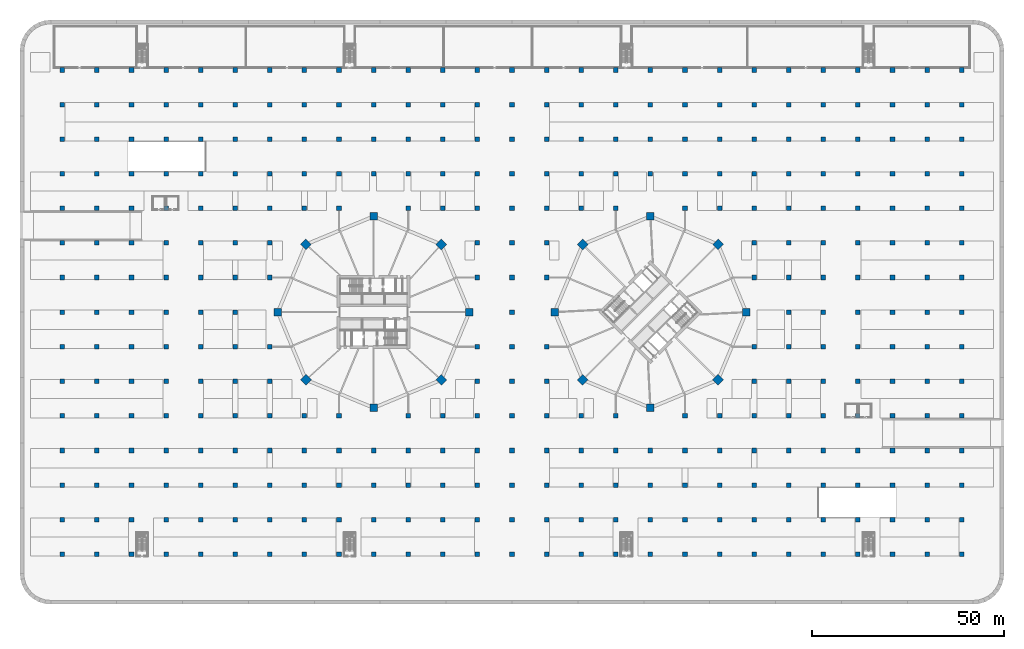
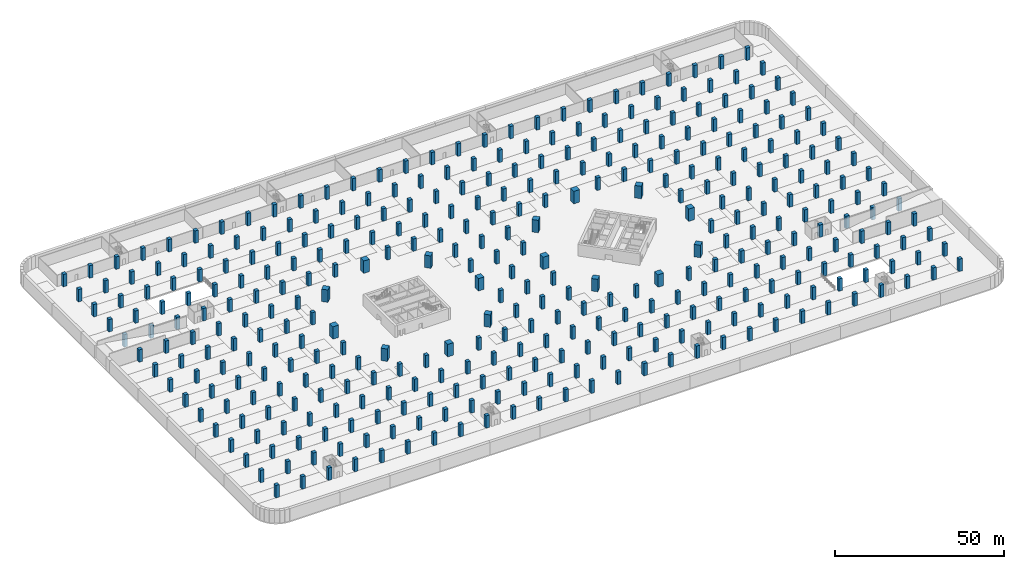
# One storey, part 1 of 34: 363 columns.
"""IFC4 building model written with IfcOpenShell, lengths in metres."""

from ifc_helpers import new_model, si_unit, direction, frame, origin, origin_2d, place, context, subcontext, project, spatial, rectangle, extrude, material, material_profile, profile_set, type_object, element, save


model = new_model("IFC4")

# Units and contexts
model_context = context("Model", 3, precision=1e-05, world=origin(), true_north=direction((0.0, 1.0)))
body_context = subcontext(model_context, "Body", "Model", "MODEL_VIEW")
ifc_project = project(units=[si_unit("LENGTHUNIT", "METRE"), si_unit("AREAUNIT", "SQUARE_METRE"), si_unit("VOLUMEUNIT", "CUBIC_METRE"), si_unit("PLANEANGLEUNIT", "RADIAN"), si_unit("MASSUNIT", "GRAM", prefix="KILO")], contexts=[model_context])

# Site, building, storey
site_placement = place(None, origin())
site = spatial("IfcSite", under=ifc_project, at=site_placement, CompositionType="ELEMENT")
building_placement = place(site_placement, origin())
building = spatial("IfcBuilding", under=site, at=building_placement, Name="Ogive Gate Towers", CompositionType="ELEMENT")
storey_placement = place(building_placement, frame((0.0, 0.0, -4.5)))
storey = spatial("IfcBuildingStorey", under=building, at=storey_placement, Name="B1", CompositionType="ELEMENT", Elevation=-4.5)

# Columns
ifc_material_1 = material(Name="Concrete C50/60", Category="concrete")
ifc_material_profile_1 = material_profile(ifc_material_1, rectangle(XDim=1.199951171875, YDim=1.199951171875, at=origin_2d()), Name="RC 1200x1200")
ifc_profile_set_1 = profile_set([ifc_material_profile_1], Name="Concrete C50/60")
column_type_1 = type_object("IfcColumnType", Name="Column RC 1200x1200", PredefinedType="COLUMN", material=ifc_profile_set_1)
for number, where, z_axis, x_axis, name in (
    (1, (-117.0, -63.0, 0.0), (0.0, 0.0, 1.0), (1.0, 0.0, 0.0), "BS/B1/SCL001"),
    (2, (-117.0, -54.0, 0.0), (0.0, 0.0, 1.0), (1.0, 0.0, 0.0), "BS/B1/SCL002"),
    (3, (-117.0, -45.0, 0.0), (0.0, 0.0, 1.0), (1.0, 0.0, 0.0), "BS/B1/SCL003"),
    (4, (-117.0, -36.0, 0.0), (0.0, 0.0, 1.0), (1.0, 0.0, 0.0), "BS/B1/SCL004"),
    (5, (-117.0, -27.0, 0.0), (0.0, 0.0, 1.0), (1.0, 0.0, 0.0), "BS/B1/SCL005"),
    (6, (-117.0, -18.0, 0.0), (0.0, 0.0, 1.0), (1.0, 0.0, 0.0), "BS/B1/SCL006"),
    (7, (-117.0, -9.0, 0.0), (0.0, 0.0, 1.0), (1.0, 0.0, 0.0), "BS/B1/SCL007"),
    (8, (-117.0, 0.0, 0.0), (0.0, 0.0, 1.0), (1.0, 0.0, 0.0), "BS/B1/SCL008"),
    (9, (-117.0, 9.0, 0.0), (0.0, 0.0, 1.0), (1.0, 0.0, 0.0), "BS/B1/SCL009"),
    (10, (-117.0, 18.0, 0.0), (0.0, 0.0, 1.0), (1.0, 0.0, 0.0), "BS/B1/SCL010"),
    (11, (-117.0, 27.0, 0.0), (0.0, 0.0, 1.0), (1.0, 0.0, 0.0), "BS/B1/SCL011"),
    (12, (-117.0, 36.0, 0.0), (0.0, 0.0, 1.0), (1.0, 0.0, 0.0), "BS/B1/SCL012"),
    (13, (-117.0, 45.0, 0.0), (0.0, 0.0, 1.0), (1.0, 0.0, 0.0), "BS/B1/SCL013"),
    (14, (-117.0, 54.0, 0.0), (0.0, 0.0, 1.0), (1.0, 0.0, 0.0), "BS/B1/SCL014"),
    (15, (-117.0, 63.0, 0.0), (0.0, 0.0, 1.0), (1.0, 0.0, 0.0), "BS/B1/SCL015"),
    (16, (-108.0, -63.0, 0.0), (0.0, 0.0, 1.0), (1.0, 0.0, 0.0), "BS/B1/SCL016"),
    (17, (-108.0, -54.0, 0.0), (0.0, 0.0, 1.0), (1.0, 0.0, 0.0), "BS/B1/SCL017"),
    (18, (-108.0, -45.0, 0.0), (0.0, 0.0, 1.0), (1.0, 0.0, 0.0), "BS/B1/SCL018"),
    (19, (-108.0, -36.0, 0.0), (0.0, 0.0, 1.0), (1.0, 0.0, 0.0), "BS/B1/SCL019"),
    (20, (-108.0, -27.0, 0.0), (0.0, 0.0, 1.0), (1.0, 0.0, 0.0), "BS/B1/SCL020"),
    (21, (-108.0, -18.0, 0.0), (0.0, 0.0, 1.0), (1.0, 0.0, 0.0), "BS/B1/SCL021"),
    (22, (-108.0, -9.0, 0.0), (0.0, 0.0, 1.0), (1.0, 0.0, 0.0), "BS/B1/SCL022"),
    (23, (-108.0, 0.0, 0.0), (0.0, 0.0, 1.0), (1.0, 0.0, 0.0), "BS/B1/SCL023"),
    (24, (-108.0, 9.0, 0.0), (0.0, 0.0, 1.0), (1.0, 0.0, 0.0), "BS/B1/SCL024"),
    (25, (-108.0, 18.0, 0.0), (0.0, 0.0, 1.0), (1.0, 0.0, 0.0), "BS/B1/SCL025"),
    (26, (-108.0, 27.0, 0.0), (0.0, 0.0, 1.0), (1.0, 0.0, 0.0), "BS/B1/SCL026"),
    (27, (-108.0, 36.0, 0.0), (0.0, 0.0, 1.0), (1.0, 0.0, 0.0), "BS/B1/SCL027"),
    (28, (-108.0, 45.0, 0.0), (0.0, 0.0, 1.0), (1.0, 0.0, 0.0), "BS/B1/SCL028"),
    (29, (-108.0, 54.0, 0.0), (0.0, 0.0, 1.0), (1.0, 0.0, 0.0), "BS/B1/SCL029"),
    (30, (-108.0, 63.0, 0.0), (0.0, 0.0, 1.0), (1.0, 0.0, 0.0), "BS/B1/SCL030"),
    (31, (-99.0, -63.0, 0.0), (0.0, 0.0, 1.0), (1.0, 0.0, 0.0), "BS/B1/SCL031"),
    (32, (-99.0, -54.0, 0.0), (0.0, 0.0, 1.0), (1.0, 0.0, 0.0), "BS/B1/SCL032"),
    (33, (-99.0, -45.0, 0.0), (0.0, 0.0, 1.0), (1.0, 0.0, 0.0), "BS/B1/SCL033"),
    (34, (-99.0, -36.0, 0.0), (0.0, 0.0, 1.0), (1.0, 0.0, 0.0), "BS/B1/SCL034"),
    (35, (-99.0, -27.0, 0.0), (0.0, 0.0, 1.0), (1.0, 0.0, 0.0), "BS/B1/SCL035"),
    (36, (-99.0, -18.0, 0.0), (0.0, 0.0, 1.0), (1.0, 0.0, 0.0), "BS/B1/SCL036"),
    (37, (-99.0, -9.0, 0.0), (0.0, 0.0, 1.0), (1.0, 0.0, 0.0), "BS/B1/SCL037"),
    (38, (-99.0, 0.0, 0.0), (0.0, 0.0, 1.0), (1.0, 0.0, 0.0), "BS/B1/SCL038"),
    (39, (-99.0, 9.0, 0.0), (0.0, 0.0, 1.0), (1.0, 0.0, 0.0), "BS/B1/SCL039"),
    (40, (-99.0, 18.0, 0.0), (0.0, 0.0, 1.0), (1.0, 0.0, 0.0), "BS/B1/SCL040"),
    (41, (-99.0, 27.0, 0.0), (0.0, 0.0, 1.0), (1.0, 0.0, 0.0), "BS/B1/SCL041"),
    (42, (-99.0, 36.0, 0.0), (0.0, 0.0, 1.0), (1.0, 0.0, 0.0), "BS/B1/SCL042"),
    (43, (-99.0, 45.0, 0.0), (0.0, 0.0, 1.0), (1.0, 0.0, 0.0), "BS/B1/SCL043"),
    (44, (-99.0, 54.0, 0.0), (0.0, 0.0, 1.0), (1.0, 0.0, 0.0), "BS/B1/SCL044"),
    (45, (-99.0, 63.0, 0.0), (0.0, 0.0, 1.0), (1.0, 0.0, 0.0), "BS/B1/SCL045"),
    (46, (-90.0, -63.0, 0.0), (0.0, 0.0, 1.0), (1.0, 0.0, 0.0), "BS/B1/SCL046"),
    (47, (-90.0, -54.0, 0.0), (0.0, 0.0, 1.0), (1.0, 0.0, 0.0), "BS/B1/SCL047"),
    (48, (-90.0, -45.0, 0.0), (0.0, 0.0, 1.0), (1.0, 0.0, 0.0), "BS/B1/SCL048"),
    (49, (-90.0, -36.0, 0.0), (0.0, 0.0, 1.0), (1.0, 0.0, 0.0), "BS/B1/SCL049"),
    (50, (-90.0, -27.0, 0.0), (0.0, 0.0, 1.0), (1.0, 0.0, 0.0), "BS/B1/SCL050"),
    (51, (-90.0, -18.0, 0.0), (0.0, 0.0, 1.0), (1.0, 0.0, 0.0), "BS/B1/SCL051"),
    (52, (-90.0, -9.0, 0.0), (0.0, 0.0, 1.0), (1.0, 0.0, 0.0), "BS/B1/SCL052"),
    (53, (-90.0, 0.0, 0.0), (0.0, 0.0, 1.0), (1.0, 0.0, 0.0), "BS/B1/SCL053"),
    (54, (-90.0, 9.0, 0.0), (0.0, 0.0, 1.0), (1.0, 0.0, 0.0), "BS/B1/SCL054"),
    (55, (-90.0, 18.0, 0.0), (0.0, 0.0, 1.0), (1.0, 0.0, 0.0), "BS/B1/SCL055"),
    (56, (-90.0, 27.0, 0.0), (0.0, 0.0, 1.0), (1.0, 0.0, 0.0), "BS/B1/SCL056"),
    (57, (-90.0, 36.0, 0.0), (0.0, 0.0, 1.0), (1.0, 0.0, 0.0), "BS/B1/SCL057"),
    (58, (-90.0, 45.0, 0.0), (0.0, 0.0, 1.0), (1.0, 0.0, 0.0), "BS/B1/SCL058"),
    (59, (-90.0, 54.0, 0.0), (0.0, 0.0, 1.0), (1.0, 0.0, 0.0), "BS/B1/SCL059"),
    (60, (-90.0, 63.0, 0.0), (0.0, 0.0, 1.0), (1.0, 0.0, 0.0), "BS/B1/SCL060"),
    (61, (-81.0, -63.0, 0.0), (0.0, 0.0, 1.0), (1.0, 0.0, 0.0), "BS/B1/SCL061"),
    (62, (-81.0, -54.0, 0.0), (0.0, 0.0, 1.0), (1.0, 0.0, 0.0), "BS/B1/SCL062"),
    (63, (-81.0, -45.0, 0.0), (0.0, 0.0, 1.0), (1.0, 0.0, 0.0), "BS/B1/SCL063"),
    (64, (-81.0, -36.0, 0.0), (0.0, 0.0, 1.0), (1.0, 0.0, 0.0), "BS/B1/SCL064"),
    (65, (-81.0, -27.0, 0.0), (0.0, 0.0, 1.0), (1.0, 0.0, 0.0), "BS/B1/SCL065"),
    (66, (-81.0, -18.0, 0.0), (0.0, 0.0, 1.0), (1.0, 0.0, 0.0), "BS/B1/SCL066"),
    (67, (-81.0, -9.0, 0.0), (0.0, 0.0, 1.0), (1.0, 0.0, 0.0), "BS/B1/SCL067"),
    (68, (-81.0, 0.0, 0.0), (0.0, 0.0, 1.0), (1.0, 0.0, 0.0), "BS/B1/SCL068"),
    (69, (-81.0, 9.0, 0.0), (0.0, 0.0, 1.0), (1.0, 0.0, 0.0), "BS/B1/SCL069"),
    (70, (-81.0, 18.0, 0.0), (0.0, 0.0, 1.0), (1.0, 0.0, 0.0), "BS/B1/SCL070"),
    (71, (-81.0, 27.0, 0.0), (0.0, 0.0, 1.0), (1.0, 0.0, 0.0), "BS/B1/SCL071"),
    (72, (-81.0, 36.0, 0.0), (0.0, 0.0, 1.0), (1.0, 0.0, 0.0), "BS/B1/SCL072"),
    (73, (-81.0, 45.0, 0.0), (0.0, 0.0, 1.0), (1.0, 0.0, 0.0), "BS/B1/SCL073"),
    (74, (-81.0, 54.0, 0.0), (0.0, 0.0, 1.0), (1.0, 0.0, 0.0), "BS/B1/SCL074"),
    (75, (-81.0, 63.0, 0.0), (0.0, 0.0, 1.0), (1.0, 0.0, 0.0), "BS/B1/SCL075"),
    (76, (-72.0, -63.0, 0.0), (0.0, 0.0, 1.0), (1.0, 0.0, 0.0), "BS/B1/SCL076"),
    (77, (-72.0, -54.0, 0.0), (0.0, 0.0, 1.0), (1.0, 0.0, 0.0), "BS/B1/SCL077"),
    (78, (-72.0, -45.0, 0.0), (0.0, 0.0, 1.0), (1.0, 0.0, 0.0), "BS/B1/SCL078"),
    (79, (-72.0, -36.0, 0.0), (0.0, 0.0, 1.0), (1.0, 0.0, 0.0), "BS/B1/SCL079"),
    (80, (-72.0, -27.0, 0.0), (0.0, 0.0, 1.0), (1.0, 0.0, 0.0), "BS/B1/SCL080"),
    (81, (-72.0, -18.0, 0.0), (0.0, 0.0, 1.0), (1.0, 0.0, 0.0), "BS/B1/SCL081"),
    (82, (-72.0, -9.0, 0.0), (0.0, 0.0, 1.0), (1.0, 0.0, 0.0), "BS/B1/SCL082"),
    (83, (-72.0, 0.0, 0.0), (0.0, 0.0, 1.0), (1.0, 0.0, 0.0), "BS/B1/SCL083"),
    (84, (-72.0, 9.0, 0.0), (0.0, 0.0, 1.0), (1.0, 0.0, 0.0), "BS/B1/SCL084"),
    (85, (-72.0, 18.0, 0.0), (0.0, 0.0, 1.0), (1.0, 0.0, 0.0), "BS/B1/SCL085"),
    (86, (-72.0, 27.0, 0.0), (0.0, 0.0, 1.0), (1.0, 0.0, 0.0), "BS/B1/SCL086"),
    (87, (-72.0, 36.0, 0.0), (0.0, 0.0, 1.0), (1.0, 0.0, 0.0), "BS/B1/SCL087"),
    (88, (-72.0, 45.0, 0.0), (0.0, 0.0, 1.0), (1.0, 0.0, 0.0), "BS/B1/SCL088"),
    (89, (-72.0, 54.0, 0.0), (0.0, 0.0, 1.0), (1.0, 0.0, 0.0), "BS/B1/SCL089"),
    (90, (-72.0, 63.0, 0.0), (0.0, 0.0, 1.0), (1.0, 0.0, 0.0), "BS/B1/SCL090"),
    (91, (-63.0, -63.0, 0.0), (0.0, 0.0, 1.0), (1.0, 0.0, 0.0), "BS/B1/SCL091"),
    (92, (-63.0, -54.0, 0.0), (0.0, 0.0, 1.0), (1.0, 0.0, 0.0), "BS/B1/SCL092"),
    (93, (-63.0, -45.0, 0.0), (0.0, 0.0, 1.0), (1.0, 0.0, 0.0), "BS/B1/SCL093"),
    (94, (-63.0, -36.0, 0.0), (0.0, 0.0, 1.0), (1.0, 0.0, 0.0), "BS/B1/SCL094"),
    (95, (-63.0, -27.0, 0.0), (0.0, 0.0, 1.0), (1.0, 0.0, 0.0), "BS/B1/SCL095"),
    (96, (-63.0, -18.0, 0.0), (0.0, 0.0, 1.0), (1.0, 0.0, 0.0), "BS/B1/SCL096"),
    (97, (-63.0, -9.0, 0.0), (0.0, 0.0, 1.0), (1.0, 0.0, 0.0), "BS/B1/SCL097"),
    (98, (-63.0, 9.0, 0.0), (0.0, 0.0, 1.0), (1.0, 0.0, 0.0), "BS/B1/SCL098"),
    (99, (-63.0, 18.0, 0.0), (0.0, 0.0, 1.0), (1.0, 0.0, 0.0), "BS/B1/SCL099"),
    (100, (-63.0, 27.0, 0.0), (0.0, 0.0, 1.0), (1.0, 0.0, 0.0), "BS/B1/SCL100"),
    (101, (-63.0, 36.0, 0.0), (0.0, 0.0, 1.0), (1.0, 0.0, 0.0), "BS/B1/SCL101"),
    (102, (-63.0, 45.0, 0.0), (0.0, 0.0, 1.0), (1.0, 0.0, 0.0), "BS/B1/SCL102"),
    (103, (-63.0, 54.0, 0.0), (0.0, 0.0, 1.0), (1.0, 0.0, 0.0), "BS/B1/SCL103"),
    (104, (-63.0, 63.0, 0.0), (0.0, 0.0, 1.0), (1.0, 0.0, 0.0), "BS/B1/SCL104"),
    (105, (-54.0, -63.0, 0.0), (0.0, 0.0, 1.0), (1.0, 0.0, 0.0), "BS/B1/SCL105"),
    (106, (-54.0, -54.0, 0.0), (0.0, 0.0, 1.0), (1.0, 0.0, 0.0), "BS/B1/SCL106"),
    (107, (-54.0, -45.0, 0.0), (0.0, 0.0, 1.0), (1.0, 0.0, 0.0), "BS/B1/SCL107"),
    (108, (-54.0, -36.0, 0.0), (0.0, 0.0, 1.0), (1.0, 0.0, 0.0), "BS/B1/SCL108"),
    (109, (-54.0, -27.0, 0.0), (0.0, 0.0, 1.0), (1.0, 0.0, 0.0), "BS/B1/SCL109"),
    (110, (-54.0, 27.0, 0.0), (0.0, 0.0, 1.0), (1.0, 0.0, 0.0), "BS/B1/SCL110"),
    (111, (-54.0, 36.0, 0.0), (0.0, 0.0, 1.0), (1.0, 0.0, 0.0), "BS/B1/SCL111"),
    (112, (-54.0, 45.0, 0.0), (0.0, 0.0, 1.0), (1.0, 0.0, 0.0), "BS/B1/SCL112"),
    (113, (-54.0, 54.0, 0.0), (0.0, 0.0, 1.0), (1.0, 0.0, 0.0), "BS/B1/SCL113"),
    (114, (-54.0, 63.0, 0.0), (0.0, 0.0, 1.0), (1.0, 0.0, 0.0), "BS/B1/SCL114"),
    (115, (-45.0, -63.0, 0.0), (0.0, 0.0, 1.0), (1.0, 0.0, 0.0), "BS/B1/SCL115"),
    (116, (-45.0, -54.0, 0.0), (0.0, 0.0, 1.0), (1.0, 0.0, 0.0), "BS/B1/SCL116"),
    (117, (-45.0, -45.0, 0.0), (0.0, 0.0, 1.0), (1.0, 0.0, 0.0), "BS/B1/SCL117"),
    (118, (-45.0, -36.0, 0.0), (0.0, 0.0, 1.0), (1.0, 0.0, 0.0), "BS/B1/SCL118"),
    (119, (-45.0, -27.0, 0.0), (0.0, 0.0, 1.0), (1.0, 0.0, 0.0), "BS/B1/SCL119"),
    (120, (-45.0, 27.0, 0.0), (0.0, 0.0, 1.0), (1.0, 0.0, 0.0), "BS/B1/SCL120"),
    (121, (-45.0, 36.0, 0.0), (0.0, 0.0, 1.0), (1.0, 0.0, 0.0), "BS/B1/SCL121"),
    (122, (-45.0, 45.0, 0.0), (0.0, 0.0, 1.0), (1.0, 0.0, 0.0), "BS/B1/SCL122"),
    (123, (-45.0, 54.0, 0.0), (0.0, 0.0, 1.0), (1.0, 0.0, 0.0), "BS/B1/SCL123"),
    (124, (-45.0, 63.0, 0.0), (0.0, 0.0, 1.0), (1.0, 0.0, 0.0), "BS/B1/SCL124"),
    (125, (-36.0, -63.0, 0.0), (0.0, 0.0, 1.0), (1.0, 0.0, 0.0), "BS/B1/SCL125"),
    (126, (-36.0, -54.0, 0.0), (0.0, 0.0, 1.0), (1.0, 0.0, 0.0), "BS/B1/SCL126"),
    (127, (-36.0, -45.0, 0.0), (0.0, 0.0, 1.0), (1.0, 0.0, 0.0), "BS/B1/SCL127"),
    (128, (-36.0, -36.0, 0.0), (0.0, 0.0, 1.0), (1.0, 0.0, 0.0), "BS/B1/SCL128"),
    (129, (-36.0, 36.0, 0.0), (0.0, 0.0, 1.0), (1.0, 0.0, 0.0), "BS/B1/SCL129"),
    (130, (-36.0, 45.0, 0.0), (0.0, 0.0, 1.0), (1.0, 0.0, 0.0), "BS/B1/SCL130"),
    (131, (-36.0, 54.0, 0.0), (0.0, 0.0, 1.0), (1.0, 0.0, 0.0), "BS/B1/SCL131"),
    (132, (-36.0, 63.0, 0.0), (0.0, 0.0, 1.0), (1.0, 0.0, 0.0), "BS/B1/SCL132"),
    (133, (-27.0, -63.0, 0.0), (0.0, 0.0, 1.0), (1.0, 0.0, 0.0), "BS/B1/SCL133"),
    (134, (-27.0, -54.0, 0.0), (0.0, 0.0, 1.0), (1.0, 0.0, 0.0), "BS/B1/SCL134"),
    (135, (-27.0, -45.0, 0.0), (0.0, 0.0, 1.0), (1.0, 0.0, 0.0), "BS/B1/SCL135"),
    (136, (-27.0, -36.0, 0.0), (0.0, 0.0, 1.0), (1.0, 0.0, 0.0), "BS/B1/SCL136"),
    (137, (-27.0, -27.0, 0.0), (0.0, 0.0, 1.0), (1.0, 0.0, 0.0), "BS/B1/SCL137"),
    (138, (-27.0, 27.0, 0.0), (0.0, 0.0, 1.0), (1.0, 0.0, 0.0), "BS/B1/SCL138"),
    (139, (-27.0, 36.0, 0.0), (0.0, 0.0, 1.0), (1.0, 0.0, 0.0), "BS/B1/SCL139"),
    (140, (-27.0, 45.0, 0.0), (0.0, 0.0, 1.0), (1.0, 0.0, 0.0), "BS/B1/SCL140"),
    (141, (-27.0, 54.0, 0.0), (0.0, 0.0, 1.0), (1.0, 0.0, 0.0), "BS/B1/SCL141"),
    (142, (-27.0, 63.0, 0.0), (0.0, 0.0, 1.0), (1.0, 0.0, 0.0), "BS/B1/SCL142"),
    (143, (-18.0, -63.0, 0.0), (0.0, 0.0, 1.0), (1.0, 0.0, 0.0), "BS/B1/SCL143"),
    (144, (-18.0, -54.0, 0.0), (0.0, 0.0, 1.0), (1.0, 0.0, 0.0), "BS/B1/SCL144"),
    (145, (-18.0, -45.0, 0.0), (0.0, 0.0, 1.0), (1.0, 0.0, 0.0), "BS/B1/SCL145"),
    (146, (-18.0, -36.0, 0.0), (0.0, 0.0, 1.0), (1.0, 0.0, 0.0), "BS/B1/SCL146"),
    (147, (-18.0, -27.0, 0.0), (0.0, 0.0, 1.0), (1.0, 0.0, 0.0), "BS/B1/SCL147"),
    (148, (-18.0, 27.0, 0.0), (0.0, 0.0, 1.0), (1.0, 0.0, 0.0), "BS/B1/SCL148"),
    (149, (-18.0, 36.0, 0.0), (0.0, 0.0, 1.0), (1.0, 0.0, 0.0), "BS/B1/SCL149"),
    (150, (-18.0, 45.0, 0.0), (0.0, 0.0, 1.0), (1.0, 0.0, 0.0), "BS/B1/SCL150"),
    (151, (-18.0, 54.0, 0.0), (0.0, 0.0, 1.0), (1.0, 0.0, 0.0), "BS/B1/SCL151"),
    (152, (-18.0, 63.0, 0.0), (0.0, 0.0, 1.0), (1.0, 0.0, 0.0), "BS/B1/SCL152"),
    (153, (-9.0, -63.0, 0.0), (0.0, 0.0, 1.0), (1.0, 0.0, 0.0), "BS/B1/SCL153"),
    (154, (-9.0, -54.0, 0.0), (0.0, 0.0, 1.0), (1.0, 0.0, 0.0), "BS/B1/SCL154"),
    (155, (-9.0, -45.0, 0.0), (0.0, 0.0, 1.0), (1.0, 0.0, 0.0), "BS/B1/SCL155"),
    (156, (-9.0, -36.0, 0.0), (0.0, 0.0, 1.0), (1.0, 0.0, 0.0), "BS/B1/SCL156"),
    (157, (-9.0, -27.0, 0.0), (0.0, 0.0, 1.0), (1.0, 0.0, 0.0), "BS/B1/SCL157"),
    (158, (-9.0, -18.0, 0.0), (0.0, 0.0, 1.0), (1.0, 0.0, 0.0), "BS/B1/SCL158"),
    (159, (-9.0, -9.0, 0.0), (0.0, 0.0, 1.0), (1.0, 0.0, 0.0), "BS/B1/SCL159"),
    (160, (-9.0, 9.0, 0.0), (0.0, 0.0, 1.0), (1.0, 0.0, 0.0), "BS/B1/SCL160"),
    (161, (-9.0, 18.0, 0.0), (0.0, 0.0, 1.0), (1.0, 0.0, 0.0), "BS/B1/SCL161"),
    (162, (-9.0, 27.0, 0.0), (0.0, 0.0, 1.0), (1.0, 0.0, 0.0), "BS/B1/SCL162"),
    (163, (-9.0, 36.0, 0.0), (0.0, 0.0, 1.0), (1.0, 0.0, 0.0), "BS/B1/SCL163"),
    (164, (-9.0, 45.0, 0.0), (0.0, 0.0, 1.0), (1.0, 0.0, 0.0), "BS/B1/SCL164"),
    (165, (-9.0, 54.0, 0.0), (0.0, 0.0, 1.0), (1.0, 0.0, 0.0), "BS/B1/SCL165"),
    (166, (-9.0, 63.0, 0.0), (0.0, 0.0, 1.0), (1.0, 0.0, 0.0), "BS/B1/SCL166"),
    (167, (0.0, -63.0, 0.0), (0.0, 0.0, 1.0), (1.0, 0.0, 0.0), "BS/B1/SCL167"),
    (168, (0.0, -54.0, 0.0), (0.0, 0.0, 1.0), (1.0, 0.0, 0.0), "BS/B1/SCL168"),
    (169, (0.0, -45.0, 0.0), (0.0, 0.0, 1.0), (1.0, 0.0, 0.0), "BS/B1/SCL169"),
    (170, (0.0, -36.0, 0.0), (0.0, 0.0, 1.0), (1.0, 0.0, 0.0), "BS/B1/SCL170"),
    (171, (0.0, -27.0, 0.0), (0.0, 0.0, 1.0), (1.0, 0.0, 0.0), "BS/B1/SCL171"),
    (172, (0.0, -18.0, 0.0), (0.0, 0.0, 1.0), (1.0, 0.0, 0.0), "BS/B1/SCL172"),
    (173, (0.0, -9.0, 0.0), (0.0, 0.0, 1.0), (1.0, 0.0, 0.0), "BS/B1/SCL173"),
    (174, (0.0, 0.0, 0.0), (0.0, 0.0, 1.0), (1.0, 0.0, 0.0), "BS/B1/SCL174"),
    (175, (0.0, 9.0, 0.0), (0.0, 0.0, 1.0), (1.0, 0.0, 0.0), "BS/B1/SCL175"),
    (176, (0.0, 18.0, 0.0), (0.0, 0.0, 1.0), (1.0, 0.0, 0.0), "BS/B1/SCL176"),
    (177, (0.0, 27.0, 0.0), (0.0, 0.0, 1.0), (1.0, 0.0, 0.0), "BS/B1/SCL177"),
    (178, (0.0, 36.0, 0.0), (0.0, 0.0, 1.0), (1.0, 0.0, 0.0), "BS/B1/SCL178"),
    (179, (0.0, 45.0, 0.0), (0.0, 0.0, 1.0), (1.0, 0.0, 0.0), "BS/B1/SCL179"),
    (180, (0.0, 54.0, 0.0), (0.0, 0.0, 1.0), (1.0, 0.0, 0.0), "BS/B1/SCL180"),
    (181, (0.0, 63.0, 0.0), (0.0, 0.0, 1.0), (1.0, 0.0, 0.0), "BS/B1/SCL181"),
    (182, (9.0, -63.0, 0.0), (0.0, 0.0, 1.0), (1.0, 0.0, 0.0), "BS/B1/SCL182"),
    (183, (9.0, -54.0, 0.0), (0.0, 0.0, 1.0), (1.0, 0.0, 0.0), "BS/B1/SCL183"),
    (184, (9.0, -45.0, 0.0), (0.0, 0.0, 1.0), (1.0, 0.0, 0.0), "BS/B1/SCL184"),
    (185, (9.0, -36.0, 0.0), (0.0, 0.0, 1.0), (1.0, 0.0, 0.0), "BS/B1/SCL185"),
    (186, (9.0, -27.0, 0.0), (0.0, 0.0, 1.0), (1.0, 0.0, 0.0), "BS/B1/SCL186"),
    (187, (9.0, -18.0, 0.0), (0.0, 0.0, 1.0), (1.0, 0.0, 0.0), "BS/B1/SCL187"),
    (188, (9.0, -9.0, 0.0), (0.0, 0.0, 1.0), (1.0, 0.0, 0.0), "BS/B1/SCL188"),
    (189, (9.0, 9.0, 0.0), (0.0, 0.0, 1.0), (1.0, 0.0, 0.0), "BS/B1/SCL189"),
    (190, (9.0, 18.0, 0.0), (0.0, 0.0, 1.0), (1.0, 0.0, 0.0), "BS/B1/SCL190"),
    (191, (9.0, 27.0, 0.0), (0.0, 0.0, 1.0), (1.0, 0.0, 0.0), "BS/B1/SCL191"),
    (192, (9.0, 36.0, 0.0), (0.0, 0.0, 1.0), (1.0, 0.0, 0.0), "BS/B1/SCL192"),
    (193, (9.0, 45.0, 0.0), (0.0, 0.0, 1.0), (1.0, 0.0, 0.0), "BS/B1/SCL193"),
    (194, (9.0, 54.0, 0.0), (0.0, 0.0, 1.0), (1.0, 0.0, 0.0), "BS/B1/SCL194"),
    (195, (9.0, 63.0, 0.0), (0.0, 0.0, 1.0), (1.0, 0.0, 0.0), "BS/B1/SCL195"),
    (196, (18.0, -63.0, 0.0), (0.0, 0.0, 1.0), (1.0, 0.0, 0.0), "BS/B1/SCL196"),
    (197, (18.0, -54.0, 0.0), (0.0, 0.0, 1.0), (1.0, 0.0, 0.0), "BS/B1/SCL197"),
    (198, (18.0, -45.0, 0.0), (0.0, 0.0, 1.0), (1.0, 0.0, 0.0), "BS/B1/SCL198"),
    (199, (18.0, -36.0, 0.0), (0.0, 0.0, 1.0), (1.0, 0.0, 0.0), "BS/B1/SCL199"),
    (200, (18.0, -27.0, 0.0), (0.0, 0.0, 1.0), (1.0, 0.0, 0.0), "BS/B1/SCL200"),
    (201, (18.0, 27.0, 0.0), (0.0, 0.0, 1.0), (1.0, 0.0, 0.0), "BS/B1/SCL201"),
    (202, (18.0, 36.0, 0.0), (0.0, 0.0, 1.0), (1.0, 0.0, 0.0), "BS/B1/SCL202"),
    (203, (18.0, 45.0, 0.0), (0.0, 0.0, 1.0), (1.0, 0.0, 0.0), "BS/B1/SCL203"),
    (204, (18.0, 54.0, 0.0), (0.0, 0.0, 1.0), (1.0, 0.0, 0.0), "BS/B1/SCL204"),
    (205, (18.0, 63.0, 0.0), (0.0, 0.0, 1.0), (1.0, 0.0, 0.0), "BS/B1/SCL205"),
    (206, (27.0, -63.0, 0.0), (0.0, 0.0, 1.0), (1.0, 0.0, 0.0), "BS/B1/SCL206"),
    (207, (27.0, -54.0, 0.0), (0.0, 0.0, 1.0), (1.0, 0.0, 0.0), "BS/B1/SCL207"),
    (208, (27.0, -45.0, 0.0), (0.0, 0.0, 1.0), (1.0, 0.0, 0.0), "BS/B1/SCL208"),
    (209, (27.0, -36.0, 0.0), (0.0, 0.0, 1.0), (1.0, 0.0, 0.0), "BS/B1/SCL209"),
    (210, (27.0, -27.0, 0.0), (0.0, 0.0, 1.0), (1.0, 0.0, 0.0), "BS/B1/SCL210"),
    (211, (27.0, 27.0, 0.0), (0.0, 0.0, 1.0), (1.0, 0.0, 0.0), "BS/B1/SCL211"),
    (212, (27.0, 36.0, 0.0), (0.0, 0.0, 1.0), (1.0, 0.0, 0.0), "BS/B1/SCL212"),
    (213, (27.0, 45.0, 0.0), (0.0, 0.0, 1.0), (1.0, 0.0, 0.0), "BS/B1/SCL213"),
    (214, (27.0, 54.0, 0.0), (0.0, 0.0, 1.0), (1.0, 0.0, 0.0), "BS/B1/SCL214"),
    (215, (27.0, 63.0, 0.0), (0.0, 0.0, 1.0), (1.0, 0.0, 0.0), "BS/B1/SCL215"),
    (216, (36.0, -63.0, 0.0), (0.0, 0.0, 1.0), (1.0, 0.0, 0.0), "BS/B1/SCL216"),
    (217, (36.0, -54.0, 0.0), (0.0, 0.0, 1.0), (1.0, 0.0, 0.0), "BS/B1/SCL217"),
    (218, (36.0, -45.0, 0.0), (0.0, 0.0, 1.0), (1.0, 0.0, 0.0), "BS/B1/SCL218"),
    (219, (36.0, -36.0, 0.0), (0.0, 0.0, 1.0), (1.0, 0.0, 0.0), "BS/B1/SCL219"),
    (220, (36.0, 36.0, 0.0), (0.0, 0.0, 1.0), (1.0, 0.0, 0.0), "BS/B1/SCL220"),
    (221, (36.0, 45.0, 0.0), (0.0, 0.0, 1.0), (1.0, 0.0, 0.0), "BS/B1/SCL221"),
    (222, (36.0, 54.0, 0.0), (0.0, 0.0, 1.0), (1.0, 0.0, 0.0), "BS/B1/SCL222"),
    (223, (36.0, 63.0, 0.0), (0.0, 0.0, 1.0), (1.0, 0.0, 0.0), "BS/B1/SCL223"),
    (224, (45.0, -63.0, 0.0), (0.0, 0.0, 1.0), (1.0, 0.0, 0.0), "BS/B1/SCL224"),
    (225, (45.0, -54.0, 0.0), (0.0, 0.0, 1.0), (1.0, 0.0, 0.0), "BS/B1/SCL225"),
    (226, (45.0, -45.0, 0.0), (0.0, 0.0, 1.0), (1.0, 0.0, 0.0), "BS/B1/SCL226"),
    (227, (45.0, -36.0, 0.0), (0.0, 0.0, 1.0), (1.0, 0.0, 0.0), "BS/B1/SCL227"),
    (228, (45.0, -27.0, 0.0), (0.0, 0.0, 1.0), (1.0, 0.0, 0.0), "BS/B1/SCL228"),
    (229, (45.0, 27.0, 0.0), (0.0, 0.0, 1.0), (1.0, 0.0, 0.0), "BS/B1/SCL229"),
    (230, (45.0, 36.0, 0.0), (0.0, 0.0, 1.0), (1.0, 0.0, 0.0), "BS/B1/SCL230"),
    (231, (45.0, 45.0, 0.0), (0.0, 0.0, 1.0), (1.0, 0.0, 0.0), "BS/B1/SCL231"),
    (232, (45.0, 54.0, 0.0), (0.0, 0.0, 1.0), (1.0, 0.0, 0.0), "BS/B1/SCL232"),
    (233, (45.0, 63.0, 0.0), (0.0, 0.0, 1.0), (1.0, 0.0, 0.0), "BS/B1/SCL233"),
    (234, (54.0, -63.0, 0.0), (0.0, 0.0, 1.0), (1.0, 0.0, 0.0), "BS/B1/SCL234"),
    (235, (54.0, -54.0, 0.0), (0.0, 0.0, 1.0), (1.0, 0.0, 0.0), "BS/B1/SCL235"),
    (236, (54.0, -45.0, 0.0), (0.0, 0.0, 1.0), (1.0, 0.0, 0.0), "BS/B1/SCL236"),
    (237, (54.0, -36.0, 0.0), (0.0, 0.0, 1.0), (1.0, 0.0, 0.0), "BS/B1/SCL237"),
    (238, (54.0, -27.0, 0.0), (0.0, 0.0, 1.0), (1.0, 0.0, 0.0), "BS/B1/SCL238"),
    (239, (54.0, 27.0, 0.0), (0.0, 0.0, 1.0), (1.0, 0.0, 0.0), "BS/B1/SCL239"),
    (240, (54.0, 36.0, 0.0), (0.0, 0.0, 1.0), (1.0, 0.0, 0.0), "BS/B1/SCL240"),
    (241, (54.0, 45.0, 0.0), (0.0, 0.0, 1.0), (1.0, 0.0, 0.0), "BS/B1/SCL241"),
    (242, (54.0, 54.0, 0.0), (0.0, 0.0, 1.0), (1.0, 0.0, 0.0), "BS/B1/SCL242"),
    (243, (54.0, 63.0, 0.0), (0.0, 0.0, 1.0), (1.0, 0.0, 0.0), "BS/B1/SCL243"),
    (244, (63.0, -63.0, 0.0), (0.0, 0.0, 1.0), (1.0, 0.0, 0.0), "BS/B1/SCL244"),
    (245, (63.0, -54.0, 0.0), (0.0, 0.0, 1.0), (1.0, 0.0, 0.0), "BS/B1/SCL245"),
    (246, (63.0, -45.0, 0.0), (0.0, 0.0, 1.0), (1.0, 0.0, 0.0), "BS/B1/SCL246"),
    (247, (63.0, -36.0, 0.0), (0.0, 0.0, 1.0), (1.0, 0.0, 0.0), "BS/B1/SCL247"),
    (248, (63.0, -27.0, 0.0), (0.0, 0.0, 1.0), (1.0, 0.0, 0.0), "BS/B1/SCL248"),
    (249, (63.0, -18.0, 0.0), (0.0, 0.0, 1.0), (1.0, 0.0, 0.0), "BS/B1/SCL249"),
    (250, (63.0, -9.0, 0.0), (0.0, 0.0, 1.0), (1.0, 0.0, 0.0), "BS/B1/SCL250"),
    (251, (63.0, 9.0, 0.0), (0.0, 0.0, 1.0), (1.0, 0.0, 0.0), "BS/B1/SCL251"),
    (252, (63.0, 18.0, 0.0), (0.0, 0.0, 1.0), (1.0, 0.0, 0.0), "BS/B1/SCL252"),
    (253, (63.0, 27.0, 0.0), (0.0, 0.0, 1.0), (1.0, 0.0, 0.0), "BS/B1/SCL253"),
    (254, (63.0, 36.0, 0.0), (0.0, 0.0, 1.0), (1.0, 0.0, 0.0), "BS/B1/SCL254"),
    (255, (63.0, 45.0, 0.0), (0.0, 0.0, 1.0), (1.0, 0.0, 0.0), "BS/B1/SCL255"),
    (256, (63.0, 54.0, 0.0), (0.0, 0.0, 1.0), (1.0, 0.0, 0.0), "BS/B1/SCL256"),
    (257, (63.0, 63.0, 0.0), (0.0, 0.0, 1.0), (1.0, 0.0, 0.0), "BS/B1/SCL257"),
    (258, (72.0, -63.0, 0.0), (0.0, 0.0, 1.0), (1.0, 0.0, 0.0), "BS/B1/SCL258"),
    (259, (72.0, -54.0, 0.0), (0.0, 0.0, 1.0), (1.0, 0.0, 0.0), "BS/B1/SCL259"),
    (260, (72.0, -45.0, 0.0), (0.0, 0.0, 1.0), (1.0, 0.0, 0.0), "BS/B1/SCL260"),
    (261, (72.0, -36.0, 0.0), (0.0, 0.0, 1.0), (1.0, 0.0, 0.0), "BS/B1/SCL261"),
    (262, (72.0, -27.0, 0.0), (0.0, 0.0, 1.0), (1.0, 0.0, 0.0), "BS/B1/SCL262"),
    (263, (72.0, -18.0, 0.0), (0.0, 0.0, 1.0), (1.0, 0.0, 0.0), "BS/B1/SCL263"),
    (264, (72.0, -9.0, 0.0), (0.0, 0.0, 1.0), (1.0, 0.0, 0.0), "BS/B1/SCL264"),
    (265, (72.0, 0.0, 0.0), (0.0, 0.0, 1.0), (1.0, 0.0, 0.0), "BS/B1/SCL265"),
    (266, (72.0, 9.0, 0.0), (0.0, 0.0, 1.0), (1.0, 0.0, 0.0), "BS/B1/SCL266"),
    (267, (72.0, 18.0, 0.0), (0.0, 0.0, 1.0), (1.0, 0.0, 0.0), "BS/B1/SCL267"),
    (268, (72.0, 27.0, 0.0), (0.0, 0.0, 1.0), (1.0, 0.0, 0.0), "BS/B1/SCL268"),
    (269, (72.0, 36.0, 0.0), (0.0, 0.0, 1.0), (1.0, 0.0, 0.0), "BS/B1/SCL269"),
    (270, (72.0, 45.0, 0.0), (0.0, 0.0, 1.0), (1.0, 0.0, 0.0), "BS/B1/SCL270"),
    (271, (72.0, 54.0, 0.0), (0.0, 0.0, 1.0), (1.0, 0.0, 0.0), "BS/B1/SCL271"),
    (272, (72.0, 63.0, 0.0), (0.0, 0.0, 1.0), (1.0, 0.0, 0.0), "BS/B1/SCL272"),
    (273, (81.0, -63.0, 0.0), (0.0, 0.0, 1.0), (1.0, 0.0, 0.0), "BS/B1/SCL273"),
    (274, (81.0, -54.0, 0.0), (0.0, 0.0, 1.0), (1.0, 0.0, 0.0), "BS/B1/SCL274"),
    (275, (81.0, -45.0, 0.0), (0.0, 0.0, 1.0), (1.0, 0.0, 0.0), "BS/B1/SCL275"),
    (276, (81.0, -36.0, 0.0), (0.0, 0.0, 1.0), (1.0, 0.0, 0.0), "BS/B1/SCL276"),
    (277, (81.0, -27.0, 0.0), (0.0, 0.0, 1.0), (1.0, 0.0, 0.0), "BS/B1/SCL277"),
    (278, (81.0, -18.0, 0.0), (0.0, 0.0, 1.0), (1.0, 0.0, 0.0), "BS/B1/SCL278"),
    (279, (81.0, -9.0, 0.0), (0.0, 0.0, 1.0), (1.0, 0.0, 0.0), "BS/B1/SCL279"),
    (280, (81.0, 0.0, 0.0), (0.0, 0.0, 1.0), (1.0, 0.0, 0.0), "BS/B1/SCL280"),
    (281, (81.0, 9.0, 0.0), (0.0, 0.0, 1.0), (1.0, 0.0, 0.0), "BS/B1/SCL281"),
    (282, (81.0, 18.0, 0.0), (0.0, 0.0, 1.0), (1.0, 0.0, 0.0), "BS/B1/SCL282"),
    (283, (81.0, 27.0, 0.0), (0.0, 0.0, 1.0), (1.0, 0.0, 0.0), "BS/B1/SCL283"),
    (284, (81.0, 36.0, 0.0), (0.0, 0.0, 1.0), (1.0, 0.0, 0.0), "BS/B1/SCL284"),
    (285, (81.0, 45.0, 0.0), (0.0, 0.0, 1.0), (1.0, 0.0, 0.0), "BS/B1/SCL285"),
    (286, (81.0, 54.0, 0.0), (0.0, 0.0, 1.0), (1.0, 0.0, 0.0), "BS/B1/SCL286"),
    (287, (81.0, 63.0, 0.0), (0.0, 0.0, 1.0), (1.0, 0.0, 0.0), "BS/B1/SCL287"),
    (288, (90.0, -63.0, 0.0), (0.0, 0.0, 1.0), (1.0, 0.0, 0.0), "BS/B1/SCL288"),
    (289, (90.0, -54.0, 0.0), (0.0, 0.0, 1.0), (1.0, 0.0, 0.0), "BS/B1/SCL289"),
    (290, (90.0, -45.0, 0.0), (0.0, 0.0, 1.0), (1.0, 0.0, 0.0), "BS/B1/SCL290"),
    (291, (90.0, -36.0, 0.0), (0.0, 0.0, 1.0), (1.0, 0.0, 0.0), "BS/B1/SCL291"),
    (292, (90.0, -27.0, 0.0), (0.0, 0.0, 1.0), (1.0, 0.0, 0.0), "BS/B1/SCL292"),
    (293, (90.0, -18.0, 0.0), (0.0, 0.0, 1.0), (1.0, 0.0, 0.0), "BS/B1/SCL293"),
    (294, (90.0, -9.0, 0.0), (0.0, 0.0, 1.0), (1.0, 0.0, 0.0), "BS/B1/SCL294"),
    (295, (90.0, 0.0, 0.0), (0.0, 0.0, 1.0), (1.0, 0.0, 0.0), "BS/B1/SCL295"),
    (296, (90.0, 9.0, 0.0), (0.0, 0.0, 1.0), (1.0, 0.0, 0.0), "BS/B1/SCL296"),
    (297, (90.0, 18.0, 0.0), (0.0, 0.0, 1.0), (1.0, 0.0, 0.0), "BS/B1/SCL297"),
    (298, (90.0, 27.0, 0.0), (0.0, 0.0, 1.0), (1.0, 0.0, 0.0), "BS/B1/SCL298"),
    (299, (90.0, 36.0, 0.0), (0.0, 0.0, 1.0), (1.0, 0.0, 0.0), "BS/B1/SCL299"),
    (300, (90.0, 45.0, 0.0), (0.0, 0.0, 1.0), (1.0, 0.0, 0.0), "BS/B1/SCL300"),
    (301, (90.0, 54.0, 0.0), (0.0, 0.0, 1.0), (1.0, 0.0, 0.0), "BS/B1/SCL301"),
    (302, (90.0, 63.0, 0.0), (0.0, 0.0, 1.0), (1.0, 0.0, 0.0), "BS/B1/SCL302"),
    (303, (99.0, -63.0, 0.0), (0.0, 0.0, 1.0), (1.0, 0.0, 0.0), "BS/B1/SCL303"),
    (304, (99.0, -54.0, 0.0), (0.0, 0.0, 1.0), (1.0, 0.0, 0.0), "BS/B1/SCL304"),
    (305, (99.0, -45.0, 0.0), (0.0, 0.0, 1.0), (1.0, 0.0, 0.0), "BS/B1/SCL305"),
    (306, (99.0, -36.0, 0.0), (0.0, 0.0, 1.0), (1.0, 0.0, 0.0), "BS/B1/SCL306"),
    (307, (99.0, -27.0, 0.0), (0.0, 0.0, 1.0), (1.0, 0.0, 0.0), "BS/B1/SCL307"),
    (308, (99.0, -18.0, 0.0), (0.0, 0.0, 1.0), (1.0, 0.0, 0.0), "BS/B1/SCL308"),
    (309, (99.0, -9.0, 0.0), (0.0, 0.0, 1.0), (1.0, 0.0, 0.0), "BS/B1/SCL309"),
    (310, (99.0, 0.0, 0.0), (0.0, 0.0, 1.0), (1.0, 0.0, 0.0), "BS/B1/SCL310"),
    (311, (99.0, 9.0, 0.0), (0.0, 0.0, 1.0), (1.0, 0.0, 0.0), "BS/B1/SCL311"),
    (312, (99.0, 18.0, 0.0), (0.0, 0.0, 1.0), (1.0, 0.0, 0.0), "BS/B1/SCL312"),
    (313, (99.0, 27.0, 0.0), (0.0, 0.0, 1.0), (1.0, 0.0, 0.0), "BS/B1/SCL313"),
    (314, (99.0, 36.0, 0.0), (0.0, 0.0, 1.0), (1.0, 0.0, 0.0), "BS/B1/SCL314"),
    (315, (99.0, 45.0, 0.0), (0.0, 0.0, 1.0), (1.0, 0.0, 0.0), "BS/B1/SCL315"),
    (316, (99.0, 54.0, 0.0), (0.0, 0.0, 1.0), (1.0, 0.0, 0.0), "BS/B1/SCL316"),
    (317, (99.0, 63.0, 0.0), (0.0, 0.0, 1.0), (1.0, 0.0, 0.0), "BS/B1/SCL317"),
    (318, (108.0, -63.0, 0.0), (0.0, 0.0, 1.0), (1.0, 0.0, 0.0), "BS/B1/SCL318"),
    (319, (108.0, -54.0, 0.0), (0.0, 0.0, 1.0), (1.0, 0.0, 0.0), "BS/B1/SCL319"),
    (320, (108.0, -45.0, 0.0), (0.0, 0.0, 1.0), (1.0, 0.0, 0.0), "BS/B1/SCL320"),
    (321, (108.0, -36.0, 0.0), (0.0, 0.0, 1.0), (1.0, 0.0, 0.0), "BS/B1/SCL321"),
    (322, (108.0, -27.0, 0.0), (0.0, 0.0, 1.0), (1.0, 0.0, 0.0), "BS/B1/SCL322"),
    (323, (108.0, -18.0, 0.0), (0.0, 0.0, 1.0), (1.0, 0.0, 0.0), "BS/B1/SCL323"),
    (324, (108.0, -9.0, 0.0), (0.0, 0.0, 1.0), (1.0, 0.0, 0.0), "BS/B1/SCL324"),
    (325, (108.0, 0.0, 0.0), (0.0, 0.0, 1.0), (1.0, 0.0, 0.0), "BS/B1/SCL325"),
    (326, (108.0, 9.0, 0.0), (0.0, 0.0, 1.0), (1.0, 0.0, 0.0), "BS/B1/SCL326"),
    (327, (108.0, 18.0, 0.0), (0.0, 0.0, 1.0), (1.0, 0.0, 0.0), "BS/B1/SCL327"),
    (328, (108.0, 27.0, 0.0), (0.0, 0.0, 1.0), (1.0, 0.0, 0.0), "BS/B1/SCL328"),
    (329, (108.0, 36.0, 0.0), (0.0, 0.0, 1.0), (1.0, 0.0, 0.0), "BS/B1/SCL329"),
    (330, (108.0, 45.0, 0.0), (0.0, 0.0, 1.0), (1.0, 0.0, 0.0), "BS/B1/SCL330"),
    (331, (108.0, 54.0, 0.0), (0.0, 0.0, 1.0), (1.0, 0.0, 0.0), "BS/B1/SCL331"),
    (332, (108.0, 63.0, 0.0), (0.0, 0.0, 1.0), (1.0, 0.0, 0.0), "BS/B1/SCL332"),
    (333, (117.0, -63.0, 0.0), (0.0, 0.0, 1.0), (1.0, 0.0, 0.0), "BS/B1/SCL333"),
    (334, (117.0, -54.0, 0.0), (0.0, 0.0, 1.0), (1.0, 0.0, 0.0), "BS/B1/SCL334"),
    (335, (117.0, -45.0, 0.0), (0.0, 0.0, 1.0), (1.0, 0.0, 0.0), "BS/B1/SCL335"),
    (336, (117.0, -36.0, 0.0), (0.0, 0.0, 1.0), (1.0, 0.0, 0.0), "BS/B1/SCL336"),
    (337, (117.0, -27.0, 0.0), (0.0, 0.0, 1.0), (1.0, 0.0, 0.0), "BS/B1/SCL337"),
    (338, (117.0, -18.0, 0.0), (0.0, 0.0, 1.0), (1.0, 0.0, 0.0), "BS/B1/SCL338"),
    (339, (117.0, -9.0, 0.0), (0.0, 0.0, 1.0), (1.0, 0.0, 0.0), "BS/B1/SCL339"),
    (340, (117.0, 0.0, 0.0), (0.0, 0.0, 1.0), (1.0, 0.0, 0.0), "BS/B1/SCL340"),
    (341, (117.0, 9.0, 0.0), (0.0, 0.0, 1.0), (1.0, 0.0, 0.0), "BS/B1/SCL341"),
    (342, (117.0, 18.0, 0.0), (0.0, 0.0, 1.0), (1.0, 0.0, 0.0), "BS/B1/SCL342"),
    (343, (117.0, 27.0, 0.0), (0.0, 0.0, 1.0), (1.0, 0.0, 0.0), "BS/B1/SCL343"),
    (344, (117.0, 36.0, 0.0), (0.0, 0.0, 1.0), (1.0, 0.0, 0.0), "BS/B1/SCL344"),
    (345, (117.0, 45.0, 0.0), (0.0, 0.0, 1.0), (1.0, 0.0, 0.0), "BS/B1/SCL345"),
    (346, (117.0, 54.0, 0.0), (0.0, 0.0, 1.0), (1.0, 0.0, 0.0), "BS/B1/SCL346"),
    (347, (117.0, 63.0, 0.0), (0.0, 0.0, 1.0), (1.0, 0.0, 0.0), "BS/B1/SCL347"),
):
    element("IfcColumn", number, at=place(storey_placement, frame(where, z_axis=z_axis, x_axis=x_axis)), inside=storey, type_object=column_type_1, Name=name, PredefinedType="COLUMN", context=body_context, shape_type="SweptSolid", body=[
        extrude(rectangle(XDim=1.199951171875, YDim=1.199951171875, at=origin_2d()), origin(), (0.0, 0.0, 1.0), 4.5),
    ])
ifc_material_2 = material(Name="Concrete C70/85", Category="concrete")
ifc_material_profile_2 = material_profile(ifc_material_2, rectangle(XDim=2.0, YDim=2.0, at=origin_2d()), Name="RC 2000x2000")
ifc_profile_set_2 = profile_set([ifc_material_profile_2], Name="Concrete C70/85")
column_type_2 = type_object("IfcColumnType", Name="Mega column 2000 x 2000", PredefinedType="COLUMN", material=ifc_profile_set_2)
for number, where, z_axis, x_axis, name in (
    (348, (-11.090087890625, 0.0, 0.0), (0.0, 0.0, 1.0), (1.0, 0.0, 0.0), "T1/B1/SCL001"),
    (349, (-18.385986328125, 17.614013671875, 0.0), (0.0, 0.0, 1.0), (0.707106781187, 0.707106781187, 0.0), "T1/B1/SCL002"),
    (350, (-36.0, 24.909912109375, 0.0), (0.0, 0.0, 1.0), (0.0, 1.0, 0.0), "T1/B1/SCL003"),
    (351, (-53.614013671875, 17.614013671875, 0.0), (0.0, 0.0, 1.0), (-0.707106781187, 0.707106781187, 0.0), "T1/B1/SCL004"),
    (352, (-60.909912109375, 0.0, 0.0), (0.0, 0.0, 1.0), (-1.0, 0.0, 0.0), "T1/B1/SCL005"),
    (353, (-53.614013671875, -17.614013671875, 0.0), (0.0, 0.0, 1.0), (-0.707106781187, -0.707106781187, 0.0), "T1/B1/SCL006"),
    (354, (-36.0, -24.909912109375, 0.0), (0.0, 0.0, 1.0), (0.0, -1.0, 0.0), "T1/B1/SCL007"),
    (355, (-18.385986328125, -17.614013671875, 0.0), (0.0, 0.0, 1.0), (0.707106781187, -0.707106781187, 0.0), "T1/B1/SCL008"),
    (356, (60.909912109375, 0.0, 0.0), (0.0, 0.0, 1.0), (1.0, 0.0, 0.0), "T2/B1/SCL001"),
    (357, (53.614013671875, 17.614013671875, 0.0), (0.0, 0.0, 1.0), (0.707106781187, 0.707106781187, 0.0), "T2/B1/SCL002"),
    (358, (36.0, 24.909912109375, 0.0), (0.0, 0.0, 1.0), (0.0, 1.0, 0.0), "T2/B1/SCL003"),
    (359, (18.385986328125, 17.614013671875, 0.0), (0.0, 0.0, 1.0), (-0.707106781187, 0.707106781187, 0.0), "T2/B1/SCL004"),
    (360, (11.090087890625, 0.0, 0.0), (0.0, 0.0, 1.0), (-1.0, 0.0, 0.0), "T2/B1/SCL005"),
    (361, (18.385986328125, -17.614013671875, 0.0), (0.0, 0.0, 1.0), (-0.707106781187, -0.707106781187, 0.0), "T2/B1/SCL006"),
    (362, (36.0, -24.909912109375, 0.0), (0.0, 0.0, 1.0), (0.0, -1.0, 0.0), "T2/B1/SCL007"),
    (363, (53.614013671875, -17.614013671875, 0.0), (0.0, 0.0, 1.0), (0.707106781187, -0.707106781187, 0.0), "T2/B1/SCL008"),
):
    element("IfcColumn", number, at=place(storey_placement, frame(where, z_axis=z_axis, x_axis=x_axis)), inside=storey, type_object=column_type_2, Name=name, PredefinedType="COLUMN", context=body_context, shape_type="SweptSolid", body=[
        extrude(rectangle(XDim=2.0, YDim=2.0, at=origin_2d()), origin(), (0.0, 0.0, 1.0), 4.5),
    ])

save(model, "model.ifc")
